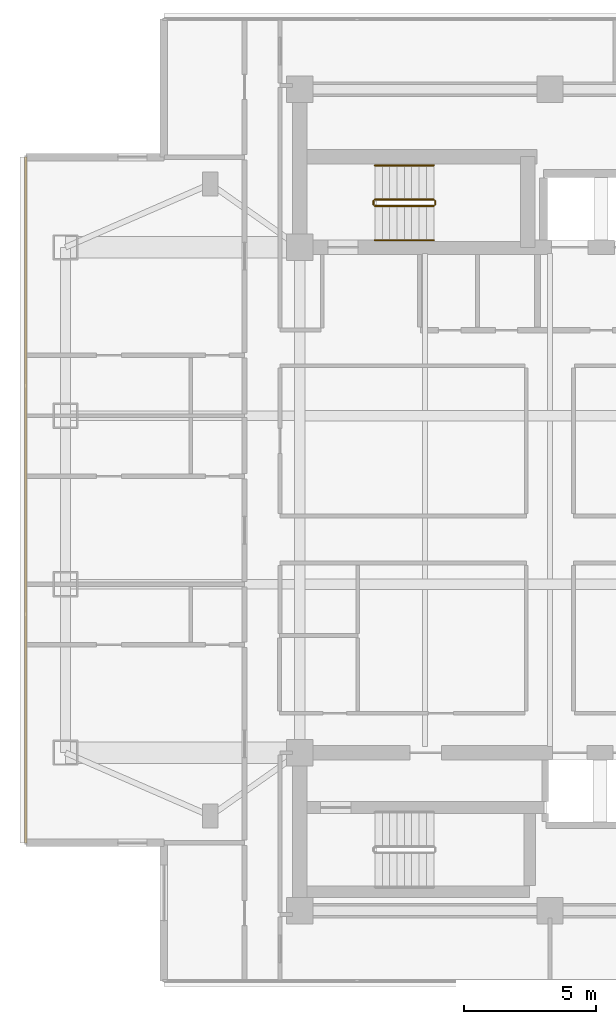
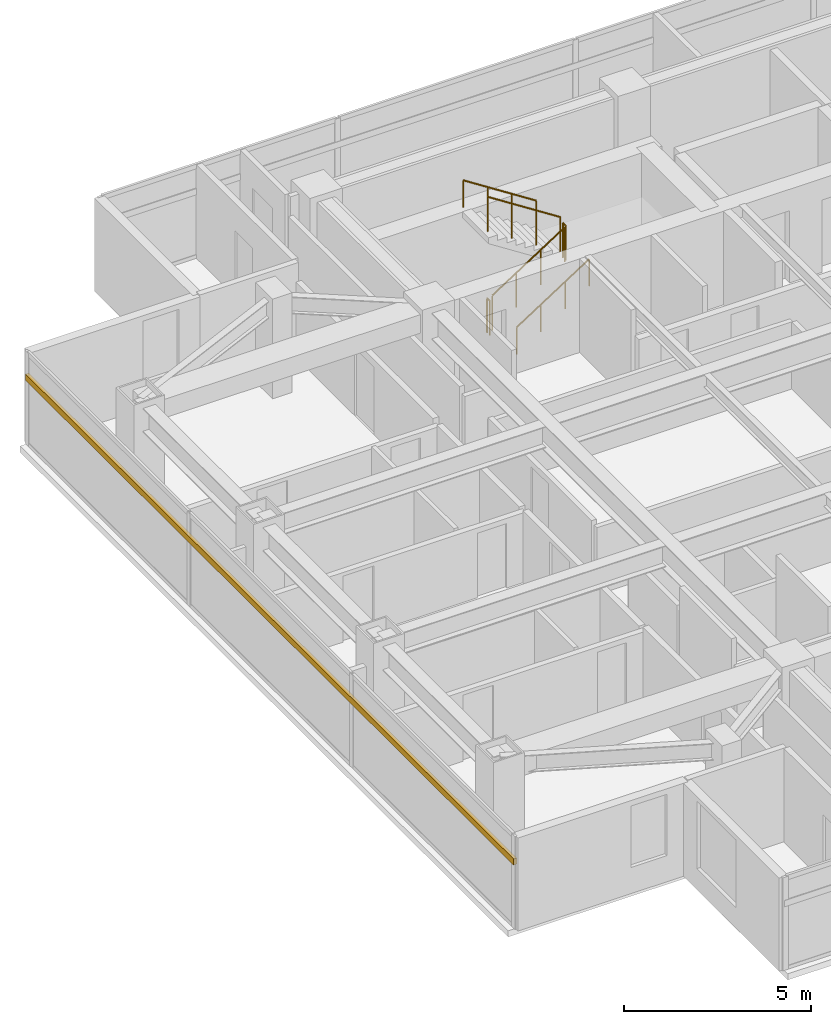
# One storey, part 20 of 24: 6 railings, 1 shading device.
"""IFC4 building model written with IfcOpenShell, lengths in metres."""

from ifc_helpers import new_model, si_unit, direction, frame, origin, origin_2d, place, context, subcontext, project, spatial, rectangle, circle, extrude, material, material_profile, profile_set, type_object, element, save


model = new_model("IFC4")

# Units and contexts
model_context = context("Model", 3, precision=1e-05, world=origin(), true_north=direction((0.0, 1.0)))
body_context = subcontext(model_context, "Body", "Model", "MODEL_VIEW")
ifc_project = project(units=[si_unit("LENGTHUNIT", "METRE"), si_unit("AREAUNIT", "SQUARE_METRE"), si_unit("VOLUMEUNIT", "CUBIC_METRE"), si_unit("PLANEANGLEUNIT", "RADIAN"), si_unit("MASSUNIT", "GRAM", prefix="KILO")], contexts=[model_context])

# Site, building, storey
site_placement = place(None, origin())
site = spatial("IfcSite", under=ifc_project, at=site_placement, CompositionType="ELEMENT")
building_placement = place(site_placement, origin())
building = spatial("IfcBuilding", under=site, at=building_placement, Name="Mirazonda Arch Towers", CompositionType="ELEMENT")
storey_placement = place(building_placement, frame((0.0, 0.0, 157.64990234375)))
storey = spatial("IfcBuildingStorey", under=building, at=storey_placement, Name="L44", CompositionType="ELEMENT", Elevation=157.64990234375)

# Shading device
ifc_material_1 = material(Name="Kiln-Fired Architectural Terracotta", Category="masonry")
ifc_material_profile = material_profile(ifc_material_1, rectangle(XDim=0.10009765625, YDim=0.199951171875, at=origin_2d()), Name="TERRA-BAG-100x200")
ifc_profile_set = profile_set([ifc_material_profile], Name="Kiln-Fired Architectural Terracotta")
shading_device_type = type_object("IfcShadingDeviceType", Name="BAGUETTE-2", PredefinedType="USERDEFINED", material=ifc_profile_set)
shading_device_placement = place(storey_placement, frame((0.590087890625, 41.02294921875, 2.181640625), z_axis=(0.0, -1.0, 0.0), x_axis=(1.0, 0.0, 0.0)))
element("IfcShadingDevice", 1, at=shading_device_placement, inside=storey, type_object=shading_device_type, Name="L44 Glazed Terracotta Sun-Screen Baguette CW-L44-T1-W", ObjectType="BAGUETTE", PredefinedType="USERDEFINED", context=body_context, shape_type="SweptSolid", body=[
    extrude(rectangle(XDim=0.10009765625, YDim=0.199951171875, at=origin_2d()), origin(), (0.0, 0.0, 1.0), 26.0458984375),
])

# Railings
ifc_material_2 = material(Name="Architectural Brushed Steel S355", Category="steel")
railing_type_1 = type_object("IfcRailingType", Name="GUARD-STAIR-1120", PredefinedType="GUARDRAIL", material=ifc_material_2)
railing_1_placement = place(storey_placement, frame((13.85009765625, 39.169921875, 0.1806640625)))
element("IfcRailing", 2, at=railing_1_placement, inside=storey, type_object=railing_type_1, Name="L44 ST-T1N stair guard 1", PredefinedType="GUARDRAIL", context=body_context, shape_type="SweptSolid", body=[
    extrude(circle(Radius=0.02392578125, at=origin_2d()), frame((0.0, 0.0, 1.1259765625), z_axis=(0.840436612492, 0.0, 0.541909863706), x_axis=(0.0, 1.0, 0.0)), (0.0, 0.0, 1.0), 2.665283203125),
    extrude(circle(Radius=0.02099609375, at=origin_2d()), origin(), (0.0, 0.0, 1.0), 1.101806640625),
    extrude(circle(Radius=0.02099609375, at=origin_2d()), frame((0.74658203125, 0.0, 0.4814453125)), (0.0, 0.0, 1.0), 1.101806640625),
    extrude(circle(Radius=0.02099609375, at=origin_2d()), frame((1.493408203125, 0.0, 0.962890625)), (0.0, 0.0, 1.0), 1.101806640625),
    extrude(circle(Radius=0.02099609375, at=origin_2d()), frame((2.239990234375, 0.0, 1.4443359375)), (0.0, 0.0, 1.0), 1.101806640625),
])
railing_2_placement = place(storey_placement, frame((16.139892578125, 39.219970703125, 1.625)))
element("IfcRailing", 3, at=railing_2_placement, inside=storey, type_object=railing_type_1, Name="L44 ST-T1N stair guard 2", PredefinedType="GUARDRAIL", context=body_context, shape_type="SweptSolid", body=[
    extrude(circle(Radius=0.02392578125, at=origin_2d()), frame((0.0, 0.0, 1.1259765625), z_axis=(0.0, 1.0, 0.0), x_axis=(-1.0, 0.0, 0.0)), (0.0, 0.0, 1.0), 0.14013671875),
    extrude(circle(Radius=0.02099609375, at=origin_2d()), origin(), (0.0, 0.0, 1.0), 1.101806640625),
    extrude(circle(Radius=0.02099609375, at=origin_2d()), frame((0.0, 0.14013671875, 0.0)), (0.0, 0.0, 1.0), 1.101806640625),
])
railing_3_placement = place(storey_placement, frame((16.090087890625, 39.409912109375, 1.8056640625)))
element("IfcRailing", 4, at=railing_3_placement, inside=storey, type_object=railing_type_1, Name="L44 ST-T1N stair guard 3", PredefinedType="GUARDRAIL", context=body_context, shape_type="SweptSolid", body=[
    extrude(circle(Radius=0.02392578125, at=origin_2d()), frame((0.0, 0.0, 1.1259765625), z_axis=(-0.840436612492, 0.0, 0.541909863706), x_axis=(0.0, -1.0, 0.0)), (0.0, 0.0, 1.0), 2.665283203125),
    extrude(circle(Radius=0.02099609375, at=origin_2d()), origin(), (0.0, 0.0, 1.0), 1.101806640625),
    extrude(circle(Radius=0.02099609375, at=origin_2d()), frame((-0.74658203125, 0.0, 0.4814453125)), (0.0, 0.0, 1.0), 1.101806640625),
    extrude(circle(Radius=0.02099609375, at=origin_2d()), frame((-1.493408203125, 0.0, 0.962890625)), (0.0, 0.0, 1.0), 1.101806640625),
    extrude(circle(Radius=0.02099609375, at=origin_2d()), frame((-2.239990234375, 0.0, 1.4443359375)), (0.0, 0.0, 1.0), 1.101806640625),
])
railing_4_placement = place(storey_placement, frame((13.800048828125, 39.219970703125, 0.0)))
element("IfcRailing", 5, at=railing_4_placement, inside=storey, type_object=railing_type_1, Name="L44 ST-T1N stair guard 4", PredefinedType="GUARDRAIL", context=body_context, shape_type="SweptSolid", body=[
    extrude(circle(Radius=0.02392578125, at=origin_2d()), frame((0.0, 0.0, 1.1259765625), z_axis=(0.0, 1.0, 0.0), x_axis=(-1.0, 0.0, 0.0)), (0.0, 0.0, 1.0), 0.14013671875),
    extrude(circle(Radius=0.02099609375, at=origin_2d()), origin(), (0.0, 0.0, 1.0), 1.101806640625),
    extrude(circle(Radius=0.02099609375, at=origin_2d()), frame((0.0, 0.14013671875, 0.0)), (0.0, 0.0, 1.0), 1.101806640625),
])
railing_type_2 = type_object("IfcRailingType", Name="HANDRAIL-915", PredefinedType="HANDRAIL", material=ifc_material_2)
railing_5_placement = place(storey_placement, frame((13.85009765625, 37.8701171875, 0.1806640625)))
element("IfcRailing", 6, at=railing_5_placement, inside=storey, type_object=railing_type_2, Name="L44 ST-T1N stair handrail 1", PredefinedType="HANDRAIL", context=body_context, shape_type="SweptSolid", body=[
    extrude(circle(Radius=0.02392578125, at=origin_2d()), frame((0.0, 0.0, 0.8759765625), z_axis=(0.840436612492, 0.0, 0.541909863706), x_axis=(0.0, 1.0, 0.0)), (0.0, 0.0, 1.0), 2.665283203125),
    extrude(circle(Radius=0.02099609375, at=origin_2d()), origin(), (0.0, 0.0, 1.0), 0.851806640625),
    extrude(circle(Radius=0.02099609375, at=origin_2d()), frame((0.74658203125, 0.0, 0.4814453125)), (0.0, 0.0, 1.0), 0.851806640625),
    extrude(circle(Radius=0.02099609375, at=origin_2d()), frame((1.493408203125, 0.0, 0.962890625)), (0.0, 0.0, 1.0), 0.851806640625),
    extrude(circle(Radius=0.02099609375, at=origin_2d()), frame((2.239990234375, 0.0, 1.4443359375)), (0.0, 0.0, 1.0), 0.851806640625),
])
railing_6_placement = place(storey_placement, frame((16.090087890625, 40.7099609375, 1.8056640625)))
element("IfcRailing", 7, at=railing_6_placement, inside=storey, type_object=railing_type_2, Name="L44 ST-T1N stair handrail 2", PredefinedType="HANDRAIL", context=body_context, shape_type="SweptSolid", body=[
    extrude(circle(Radius=0.02392578125, at=origin_2d()), frame((0.0, 0.0, 0.8759765625), z_axis=(-0.840436612492, 0.0, 0.541909863706), x_axis=(0.0, -1.0, 0.0)), (0.0, 0.0, 1.0), 2.665283203125),
    extrude(circle(Radius=0.02099609375, at=origin_2d()), origin(), (0.0, 0.0, 1.0), 0.851806640625),
    extrude(circle(Radius=0.02099609375, at=origin_2d()), frame((-0.74658203125, 0.0, 0.4814453125)), (0.0, 0.0, 1.0), 0.851806640625),
    extrude(circle(Radius=0.02099609375, at=origin_2d()), frame((-1.493408203125, 0.0, 0.962890625)), (0.0, 0.0, 1.0), 0.851806640625),
    extrude(circle(Radius=0.02099609375, at=origin_2d()), frame((-2.239990234375, 0.0, 1.4443359375)), (0.0, 0.0, 1.0), 0.851806640625),
])

save(model, "model.ifc")
